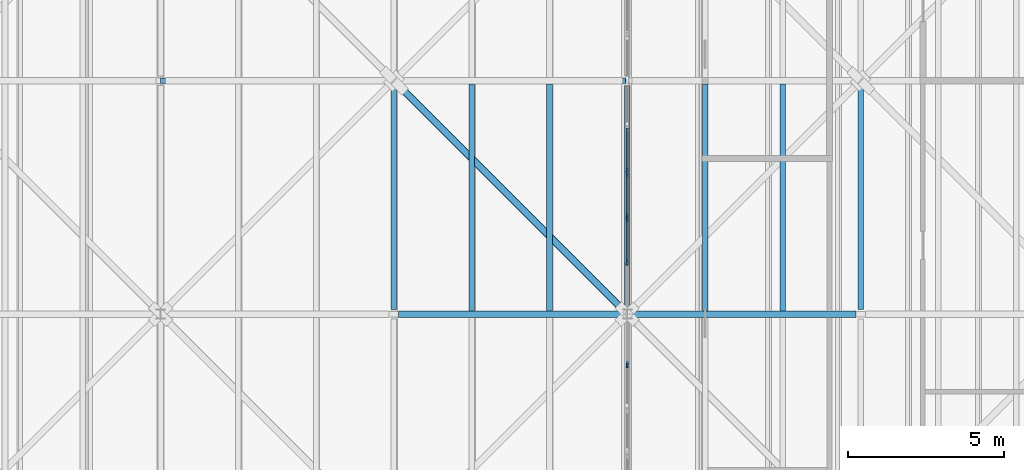
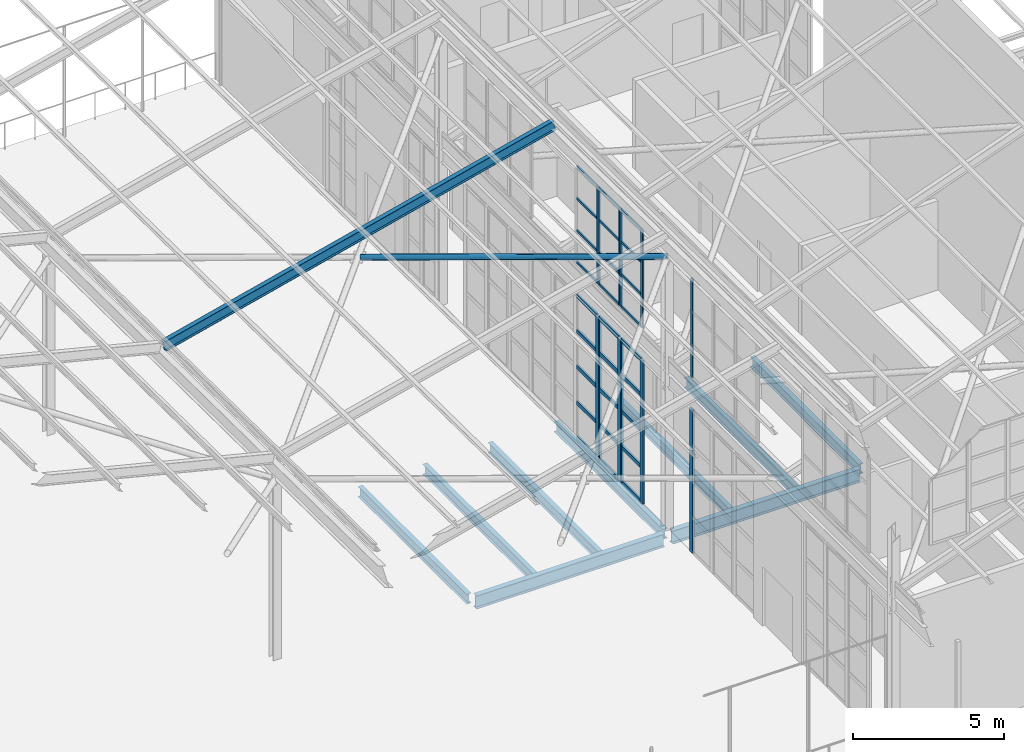
# One storey, part 31 of 483: 41 members, 9 beams, 8 elements without a shape of their own.
"""IFC4 building model written with IfcOpenShell, lengths in metres."""

from ifc_helpers import new_model, si_unit, direction, frame, origin, origin_2d, place, context, subcontext, project, spatial, rectangle, hollow_circle, i_section, extrude, material, material_profile, profile_set, type_object, element, aggregate, save


model = new_model("IFC4")

# Units and contexts
model_context = context("Model", 3, precision=1e-05, world=origin(), true_north=direction((0.0, 1.0)))
body_context = subcontext(model_context, "Body", "Model", "MODEL_VIEW")
ifc_project = project(units=[si_unit("LENGTHUNIT", "METRE"), si_unit("AREAUNIT", "SQUARE_METRE"), si_unit("VOLUMEUNIT", "CUBIC_METRE"), si_unit("PLANEANGLEUNIT", "RADIAN"), si_unit("MASSUNIT", "GRAM", prefix="KILO")], contexts=[model_context])

# Site, building, storey
site_placement = place(None, origin())
site = spatial("IfcSite", under=ifc_project, at=site_placement, CompositionType="ELEMENT")
building_placement = place(site_placement, origin())
building = spatial("IfcBuilding", under=site, at=building_placement, Name="Parallax Yard Mobility Hub", CompositionType="ELEMENT")
storey_placement = place(building_placement, frame((0.0, 0.0, 13.199951171875)))
storey = spatial("IfcBuildingStorey", under=building, at=storey_placement, Name="L04", CompositionType="ELEMENT", Elevation=13.199951171875)

# Curtain wall, member
ifc_material_1 = material(Name="Thermally broken aluminium curtain wall system", Category="aluminium")
curtain_wall_type_1 = type_object("IfcCurtainWallType", Name="Clerestory glazing run 60 x 120 frame", PredefinedType="NOTDEFINED", material=ifc_material_1)
curtain_wall_1_placement = place(storey_placement, origin())
curtain_wall_1 = element("IfcCurtainWall", 1, at=curtain_wall_1_placement, inside=storey, type_object=curtain_wall_type_1, Name="Clerestory glazing run Rooftop sports deck roof step 1 bay 2 level L04", PredefinedType="NOTDEFINED")
ifc_material_2 = material(Name="Extruded aluminium", Category="aluminium")
ifc_material_profile_1 = material_profile(ifc_material_2, rectangle(XDim=0.06005859375, YDim=0.1201171875, at=origin_2d()), Name="Mullion 60 x 120")
ifc_profile_set_1 = profile_set([ifc_material_profile_1], Name="Extruded aluminium")
member_type_1 = type_object("IfcMemberType", Name="Mullion 60 x 120", PredefinedType="MULLION", material=ifc_profile_set_1)
member_1_placement = place(storey_placement, frame((127.5, 20.84716796875, 7.087890625), z_axis=(0.0, 0.0, 1.0), x_axis=(-1.0, 0.0, 0.0)))
member_1 = element("IfcMember", 2, at=member_1_placement, type_object=member_type_1, Name="CW4 mullion 2", PredefinedType="MULLION", context=body_context, shape_type="SweptSolid", body=[
    extrude(rectangle(XDim=0.06005859375, YDim=0.1201171875, at=origin_2d()), origin(), (0.0, 0.0, 1.0), 3.998046875),
])
aggregate(curtain_wall_1, [member_1])

# Curtain wall, members
curtain_wall_2_placement = place(storey_placement, origin())
curtain_wall_2 = element("IfcCurtainWall", 3, at=curtain_wall_2_placement, inside=storey, type_object=curtain_wall_type_1, Name="Clerestory glazing run Rooftop sports deck roof step 1 bay 3 level L04", PredefinedType="NOTDEFINED")
member_2_placement = place(storey_placement, frame((127.5, 24.15234375, 7.087890625), z_axis=(0.0, 0.0, 1.0), x_axis=(-1.0, 0.0, 0.0)))
member_2 = element("IfcMember", 4, at=member_2_placement, type_object=member_type_1, Name="CW4 mullion 1", PredefinedType="MULLION", context=body_context, shape_type="SweptSolid", body=[
    extrude(rectangle(XDim=0.06005859375, YDim=0.1201171875, at=origin_2d()), origin(), (0.0, 0.0, 1.0), 3.9501953125),
])
member_3_placement = place(storey_placement, frame((127.5, 25.56103515625, 7.087890625), z_axis=(0.0, 0.0, 1.0), x_axis=(-1.0, 0.0, 0.0)))
member_3 = element("IfcMember", 5, at=member_3_placement, type_object=member_type_1, Name="CW4 mullion 2", PredefinedType="MULLION", context=body_context, shape_type="SweptSolid", body=[
    extrude(rectangle(XDim=0.06005859375, YDim=0.1201171875, at=origin_2d()), origin(), (0.0, 0.0, 1.0), 3.9501953125),
])

curtain_wall_3_placement = place(storey_placement, origin())
curtain_wall_3 = element("IfcCurtainWall", 6, at=curtain_wall_3_placement, inside=storey, type_object=curtain_wall_type_1, Name="Clerestory glazing run Rooftop sports deck roof step 1 bay 3 level L04", PredefinedType="NOTDEFINED")
member_4_placement = place(storey_placement, frame((127.5, 25.62109375, 7.087890625), z_axis=(0.0, 0.0, 1.0), x_axis=(-1.0, 0.0, 0.0)))
member_4 = element("IfcMember", 7, at=member_4_placement, type_object=member_type_1, Name="CW4 mullion 1", PredefinedType="MULLION", context=body_context, shape_type="SweptSolid", body=[
    extrude(rectangle(XDim=0.06005859375, YDim=0.1201171875, at=origin_2d()), origin(), (0.0, 0.0, 1.0), 3.936279296875),
])
member_5_placement = place(storey_placement, frame((127.5, 27.02978515625, 7.087890625), z_axis=(0.0, 0.0, 1.0), x_axis=(-1.0, 0.0, 0.0)))
member_5 = element("IfcMember", 8, at=member_5_placement, type_object=member_type_1, Name="CW4 mullion 2", PredefinedType="MULLION", context=body_context, shape_type="SweptSolid", body=[
    extrude(rectangle(XDim=0.06005859375, YDim=0.1201171875, at=origin_2d()), origin(), (0.0, 0.0, 1.0), 3.936279296875),
])

# Curtain wall, member
curtain_wall_4_placement = place(storey_placement, origin())
curtain_wall_4 = element("IfcCurtainWall", 9, at=curtain_wall_4_placement, inside=storey, type_object=curtain_wall_type_1, Name="Clerestory glazing run Rooftop sports deck roof step 1 bay 3 level L04", PredefinedType="NOTDEFINED")
member_6_placement = place(storey_placement, frame((127.5, 27.08984375, 7.087890625), z_axis=(0.0, 0.0, 1.0), x_axis=(-1.0, 0.0, 0.0)))
member_6 = element("IfcMember", 10, at=member_6_placement, type_object=member_type_1, Name="CW4 mullion 1", PredefinedType="MULLION", context=body_context, shape_type="SweptSolid", body=[
    extrude(rectangle(XDim=0.06005859375, YDim=0.1201171875, at=origin_2d()), origin(), (0.0, 0.0, 1.0), 3.921142578125),
])

curtain_wall_type_2 = type_object("IfcCurtainWallType", Name="Tall curtain wall run 75 x 200 frame", PredefinedType="NOTDEFINED", material=ifc_material_1)
curtain_wall_5_placement = place(storey_placement, origin())
curtain_wall_5 = element("IfcCurtainWall", 11, at=curtain_wall_5_placement, inside=storey, type_object=curtain_wall_type_2, Name="Curtain wall run Rooftop sports deck west bay 1 level L04", PredefinedType="NOTDEFINED")
ifc_material_profile_2 = material_profile(ifc_material_2, rectangle(XDim=0.074951171875, YDim=0.199951171875, at=origin_2d()), Name="Mullion 75 x 200")
ifc_profile_set_2 = profile_set([ifc_material_profile_2], Name="Extruded aluminium")
member_type_2 = type_object("IfcMemberType", Name="Mullion 75 x 200", PredefinedType="MULLION", material=ifc_profile_set_2)
member_7_placement = place(storey_placement, frame((127.5, 20.872314453125, 0.0), z_axis=(0.0, 0.0, 1.0), x_axis=(-1.0, 0.0, 0.0)))
member_7 = element("IfcMember", 12, at=member_7_placement, type_object=member_type_2, Name="CW3 mullion 2", PredefinedType="MULLION", context=body_context, shape_type="SweptSolid", body=[
    extrude(rectangle(XDim=0.074951171875, YDim=0.199951171875, at=origin_2d()), origin(), (0.0, 0.0, 1.0), 5.800048828125),
])
aggregate(curtain_wall_5, [member_7])

# Curtain wall, members
curtain_wall_6_placement = place(storey_placement, origin())
curtain_wall_6 = element("IfcCurtainWall", 13, at=curtain_wall_6_placement, inside=storey, type_object=curtain_wall_type_2, Name="Curtain wall run Rooftop sports deck west bay 2 level L04", PredefinedType="NOTDEFINED")
member_8_placement = place(storey_placement, frame((127.5, 24.159912109375, 0.0), z_axis=(0.0, 0.0, 1.0), x_axis=(-1.0, 0.0, 0.0)))
member_8 = element("IfcMember", 14, at=member_8_placement, type_object=member_type_2, Name="CW3 mullion 1", PredefinedType="MULLION", context=body_context, shape_type="SweptSolid", body=[
    extrude(rectangle(XDim=0.074951171875, YDim=0.199951171875, at=origin_2d()), origin(), (0.0, 0.0, 1.0), 5.800048828125),
])
member_9_placement = place(storey_placement, frame((127.5, 25.553466796875, 0.0), z_axis=(0.0, 0.0, 1.0), x_axis=(-1.0, 0.0, 0.0)))
member_9 = element("IfcMember", 15, at=member_9_placement, type_object=member_type_2, Name="CW3 mullion 2", PredefinedType="MULLION", context=body_context, shape_type="SweptSolid", body=[
    extrude(rectangle(XDim=0.074951171875, YDim=0.199951171875, at=origin_2d()), origin(), (0.0, 0.0, 1.0), 5.800048828125),
])

curtain_wall_7_placement = place(storey_placement, origin())
curtain_wall_7 = element("IfcCurtainWall", 16, at=curtain_wall_7_placement, inside=storey, type_object=curtain_wall_type_2, Name="Curtain wall run Rooftop sports deck west bay 2 level L04", PredefinedType="NOTDEFINED")
member_10_placement = place(storey_placement, frame((127.5, 25.62841796875, 0.0), z_axis=(0.0, 0.0, 1.0), x_axis=(-1.0, 0.0, 0.0)))
member_10 = element("IfcMember", 17, at=member_10_placement, type_object=member_type_2, Name="CW3 mullion 1", PredefinedType="MULLION", context=body_context, shape_type="SweptSolid", body=[
    extrude(rectangle(XDim=0.074951171875, YDim=0.199951171875, at=origin_2d()), origin(), (0.0, 0.0, 1.0), 5.800048828125),
])
member_11_placement = place(storey_placement, frame((127.5, 27.022216796875, 0.0), z_axis=(0.0, 0.0, 1.0), x_axis=(-1.0, 0.0, 0.0)))
member_11 = element("IfcMember", 18, at=member_11_placement, type_object=member_type_2, Name="CW3 mullion 2", PredefinedType="MULLION", context=body_context, shape_type="SweptSolid", body=[
    extrude(rectangle(XDim=0.074951171875, YDim=0.199951171875, at=origin_2d()), origin(), (0.0, 0.0, 1.0), 5.800048828125),
])

# Curtain wall, member
curtain_wall_8_placement = place(storey_placement, origin())
curtain_wall_8 = element("IfcCurtainWall", 19, at=curtain_wall_8_placement, inside=storey, type_object=curtain_wall_type_2, Name="Curtain wall run Rooftop sports deck west bay 2 level L04", PredefinedType="NOTDEFINED")
member_12_placement = place(storey_placement, frame((127.5, 27.097412109375, 0.0), z_axis=(0.0, 0.0, 1.0), x_axis=(-1.0, 0.0, 0.0)))
member_12 = element("IfcMember", 20, at=member_12_placement, type_object=member_type_2, Name="CW3 mullion 1", PredefinedType="MULLION", context=body_context, shape_type="SweptSolid", body=[
    extrude(rectangle(XDim=0.074951171875, YDim=0.199951171875, at=origin_2d()), origin(), (0.0, 0.0, 1.0), 5.800048828125),
])

# Members
ifc_material_3 = material(Name="Steel ASTM A500 Gr C", Category="steel")
ifc_material_profile_3 = material_profile(ifc_material_3, hollow_circle(Radius=0.109619140625, WallThickness=0.008056640625, at=origin_2d()), Name="HSS219.1x8.0")
ifc_profile_set_3 = profile_set([ifc_material_profile_3], Name="Steel ASTM A500 Gr C")
member_type_3 = type_object("IfcMemberType", Name="Roof brace HSS219.1x8.0", PredefinedType="BRACE", material=ifc_profile_set_3)
member_13_placement = place(storey_placement, frame((120.0693359375, 29.9306640625, 9.028564453125), z_axis=(0.695452358349, -0.695452358349, 0.180809387292), x_axis=(0.707106781187, 0.707106781187, 0.0)))
element("IfcMember", 21, at=member_13_placement, inside=storey, type_object=member_type_3, Name="Roof X brace east wing bay 2 2 (half 2)", PredefinedType="BRACE", context=body_context, shape_type="SweptSolid", body=[
    extrude(hollow_circle(Radius=0.109619140625, WallThickness=0.008056640625, at=origin_2d()), origin(), (0.0, 0.0, 1.0), 10.6845703125),
])
ifc_material_4 = material(Name="Steel ASTM A992", Category="steel")
ifc_material_profile_4 = material_profile(ifc_material_4, i_section(OverallWidth=0.177978515625, OverallDepth=0.406982421875, WebThickness=0.0078125, FlangeThickness=0.0126953125, at=origin_2d()), Name="W410x60")
ifc_profile_set_4 = profile_set([ifc_material_profile_4], Name="Steel ASTM A992")
member_type_4 = type_object("IfcMemberType", Name="Roof rafter W410x60", PredefinedType="RAFTER", material=ifc_profile_set_4)
member_14_placement = place(storey_placement, frame((112.54931640625, 29.998046875, 8.030029296875), z_axis=(0.970142500145, 0.0, 0.242535625036), x_axis=(0.002352689629, 0.999952950131, -0.009410758517)))
element("IfcMember", 22, at=member_14_placement, inside=storey, type_object=member_type_4, Name="Roof rafter court east wing at y 30", PredefinedType="RAFTER", context=body_context, shape_type="SweptSolid", body=[
    extrude(i_section(OverallWidth=0.177978515625, OverallDepth=0.406982421875, WebThickness=0.0078125, FlangeThickness=0.0126953125, at=origin_2d()), origin(), (0.0, 0.0, 1.0), 15.410400390625),
])

# Member
ifc_material_profile_5 = material_profile(ifc_material_2, rectangle(XDim=0.06005859375, YDim=0.10009765625, at=origin_2d()), Name="Transom 60 x 100")
ifc_profile_set_5 = profile_set([ifc_material_profile_5], Name="Extruded aluminium")
member_type_5 = type_object("IfcMemberType", Name="Transom 60 x 100", PredefinedType="USERDEFINED", material=ifc_profile_set_5)
member_15_placement = place(storey_placement, frame((127.5, 24.182373046875, 7.117919921875), z_axis=(0.0, 1.0, 0.0), x_axis=(-1.0, 0.0, 0.0)))
member_15 = element("IfcMember", 23, at=member_15_placement, type_object=member_type_5, Name="CW4 transom 1.1", ObjectType="TRANSOM", PredefinedType="USERDEFINED", context=body_context, shape_type="SweptSolid", body=[
    extrude(rectangle(XDim=0.06005859375, YDim=0.10009765625, at=origin_2d()), origin(), (0.0, 0.0, 1.0), 1.3486328125),
])

member_16_placement = place(storey_placement, frame((127.5, 24.182373046875, 8.404541015625), z_axis=(0.0, 1.0, 0.0), x_axis=(-1.0, 0.0, 0.0)))
member_16 = element("IfcMember", 24, at=member_16_placement, type_object=member_type_5, Name="CW4 transom 1.2", ObjectType="TRANSOM", PredefinedType="USERDEFINED", context=body_context, shape_type="SweptSolid", body=[
    extrude(rectangle(XDim=0.06005859375, YDim=0.10009765625, at=origin_2d()), origin(), (0.0, 0.0, 1.0), 1.3486328125),
])

member_17_placement = place(storey_placement, frame((127.5, 24.182373046875, 9.721435546875), z_axis=(0.0, 1.0, 0.0), x_axis=(-1.0, 0.0, 0.0)))
member_17 = element("IfcMember", 25, at=member_17_placement, type_object=member_type_5, Name="CW4 transom 1.3", ObjectType="TRANSOM", PredefinedType="USERDEFINED", context=body_context, shape_type="SweptSolid", body=[
    extrude(rectangle(XDim=0.06005859375, YDim=0.10009765625, at=origin_2d()), origin(), (0.0, 0.0, 1.0), 1.3486328125),
])

member_18_placement = place(storey_placement, frame((127.5, 24.182373046875, 11.008056640625), z_axis=(0.0, 1.0, 0.0), x_axis=(-1.0, 0.0, 0.0)))
member_18 = element("IfcMember", 26, at=member_18_placement, type_object=member_type_5, Name="CW4 transom 1.4", ObjectType="TRANSOM", PredefinedType="USERDEFINED", context=body_context, shape_type="SweptSolid", body=[
    extrude(rectangle(XDim=0.06005859375, YDim=0.10009765625, at=origin_2d()), origin(), (0.0, 0.0, 1.0), 1.3486328125),
])

aggregate(curtain_wall_2, [member_2, member_3, member_15, member_16, member_17, member_18])

member_19_placement = place(storey_placement, frame((127.5, 25.65087890625, 7.117919921875), z_axis=(0.0, 1.0, 0.0), x_axis=(-1.0, 0.0, 0.0)))
member_19 = element("IfcMember", 27, at=member_19_placement, type_object=member_type_5, Name="CW4 transom 1.1", ObjectType="TRANSOM", PredefinedType="USERDEFINED", context=body_context, shape_type="SweptSolid", body=[
    extrude(rectangle(XDim=0.06005859375, YDim=0.10009765625, at=origin_2d()), origin(), (0.0, 0.0, 1.0), 1.348876953125),
])

member_20_placement = place(storey_placement, frame((127.5, 25.65087890625, 8.39990234375), z_axis=(0.0, 1.0, 0.0), x_axis=(-1.0, 0.0, 0.0)))
member_20 = element("IfcMember", 28, at=member_20_placement, type_object=member_type_5, Name="CW4 transom 1.2", ObjectType="TRANSOM", PredefinedType="USERDEFINED", context=body_context, shape_type="SweptSolid", body=[
    extrude(rectangle(XDim=0.06005859375, YDim=0.10009765625, at=origin_2d()), origin(), (0.0, 0.0, 1.0), 1.348876953125),
])

member_21_placement = place(storey_placement, frame((127.5, 25.65087890625, 9.7119140625), z_axis=(0.0, 1.0, 0.0), x_axis=(-1.0, 0.0, 0.0)))
member_21 = element("IfcMember", 29, at=member_21_placement, type_object=member_type_5, Name="CW4 transom 1.3", ObjectType="TRANSOM", PredefinedType="USERDEFINED", context=body_context, shape_type="SweptSolid", body=[
    extrude(rectangle(XDim=0.06005859375, YDim=0.10009765625, at=origin_2d()), origin(), (0.0, 0.0, 1.0), 1.348876953125),
])

member_22_placement = place(storey_placement, frame((127.5, 25.65087890625, 10.994140625), z_axis=(0.0, 1.0, 0.0), x_axis=(-1.0, 0.0, 0.0)))
member_22 = element("IfcMember", 30, at=member_22_placement, type_object=member_type_5, Name="CW4 transom 1.4", ObjectType="TRANSOM", PredefinedType="USERDEFINED", context=body_context, shape_type="SweptSolid", body=[
    extrude(rectangle(XDim=0.06005859375, YDim=0.10009765625, at=origin_2d()), origin(), (0.0, 0.0, 1.0), 1.348876953125),
])

aggregate(curtain_wall_3, [member_4, member_5, member_19, member_20, member_21, member_22])

member_23_placement = place(storey_placement, frame((127.5, 27.119873046875, 7.117919921875), z_axis=(0.0, 1.0, 0.0), x_axis=(-1.0, 0.0, 0.0)))
member_23 = element("IfcMember", 31, at=member_23_placement, type_object=member_type_5, Name="CW4 transom 1.1", ObjectType="TRANSOM", PredefinedType="USERDEFINED", context=body_context, shape_type="SweptSolid", body=[
    extrude(rectangle(XDim=0.06005859375, YDim=0.10009765625, at=origin_2d()), origin(), (0.0, 0.0, 1.0), 1.3486328125),
])

member_24_placement = place(storey_placement, frame((127.5, 27.119873046875, 8.39501953125), z_axis=(0.0, 1.0, 0.0), x_axis=(-1.0, 0.0, 0.0)))
member_24 = element("IfcMember", 32, at=member_24_placement, type_object=member_type_5, Name="CW4 transom 1.2", ObjectType="TRANSOM", PredefinedType="USERDEFINED", context=body_context, shape_type="SweptSolid", body=[
    extrude(rectangle(XDim=0.06005859375, YDim=0.10009765625, at=origin_2d()), origin(), (0.0, 0.0, 1.0), 1.3486328125),
])

member_25_placement = place(storey_placement, frame((127.5, 27.119873046875, 9.701904296875), z_axis=(0.0, 1.0, 0.0), x_axis=(-1.0, 0.0, 0.0)))
member_25 = element("IfcMember", 33, at=member_25_placement, type_object=member_type_5, Name="CW4 transom 1.3", ObjectType="TRANSOM", PredefinedType="USERDEFINED", context=body_context, shape_type="SweptSolid", body=[
    extrude(rectangle(XDim=0.06005859375, YDim=0.10009765625, at=origin_2d()), origin(), (0.0, 0.0, 1.0), 1.3486328125),
])

member_26_placement = place(storey_placement, frame((127.5, 27.119873046875, 10.97900390625), z_axis=(0.0, 1.0, 0.0), x_axis=(-1.0, 0.0, 0.0)))
member_26 = element("IfcMember", 34, at=member_26_placement, type_object=member_type_5, Name="CW4 transom 1.4", ObjectType="TRANSOM", PredefinedType="USERDEFINED", context=body_context, shape_type="SweptSolid", body=[
    extrude(rectangle(XDim=0.06005859375, YDim=0.10009765625, at=origin_2d()), origin(), (0.0, 0.0, 1.0), 1.3486328125),
])

aggregate(curtain_wall_4, [member_6, member_23, member_24, member_25, member_26])

ifc_material_profile_6 = material_profile(ifc_material_2, rectangle(XDim=0.074951171875, YDim=0.14990234375, at=origin_2d()), Name="Transom 75 x 150")
ifc_profile_set_6 = profile_set([ifc_material_profile_6], Name="Extruded aluminium")
member_type_6 = type_object("IfcMemberType", Name="Transom 75 x 150", PredefinedType="USERDEFINED", material=ifc_profile_set_6)
member_27_placement = place(storey_placement, frame((127.5, 24.197265625, 0.03759765625), z_axis=(0.0, 1.0, 0.0), x_axis=(-1.0, 0.0, 0.0)))
member_27 = element("IfcMember", 35, at=member_27_placement, type_object=member_type_6, Name="CW3 transom 1.1", ObjectType="TRANSOM", PredefinedType="USERDEFINED", context=body_context, shape_type="SweptSolid", body=[
    extrude(rectangle(XDim=0.074951171875, YDim=0.14990234375, at=origin_2d()), origin(), (0.0, 0.0, 1.0), 1.31884765625),
])

member_28_placement = place(storey_placement, frame((127.5, 24.197265625, 1.449951171875), z_axis=(0.0, 1.0, 0.0), x_axis=(-1.0, 0.0, 0.0)))
member_28 = element("IfcMember", 36, at=member_28_placement, type_object=member_type_6, Name="CW3 transom 1.2", ObjectType="TRANSOM", PredefinedType="USERDEFINED", context=body_context, shape_type="SweptSolid", body=[
    extrude(rectangle(XDim=0.074951171875, YDim=0.14990234375, at=origin_2d()), origin(), (0.0, 0.0, 1.0), 1.31884765625),
])

member_29_placement = place(storey_placement, frame((127.5, 24.197265625, 2.900146484375), z_axis=(0.0, 1.0, 0.0), x_axis=(-1.0, 0.0, 0.0)))
member_29 = element("IfcMember", 37, at=member_29_placement, type_object=member_type_6, Name="CW3 transom 1.3", ObjectType="TRANSOM", PredefinedType="USERDEFINED", context=body_context, shape_type="SweptSolid", body=[
    extrude(rectangle(XDim=0.074951171875, YDim=0.14990234375, at=origin_2d()), origin(), (0.0, 0.0, 1.0), 1.31884765625),
])

member_30_placement = place(storey_placement, frame((127.5, 24.197265625, 4.35009765625), z_axis=(0.0, 1.0, 0.0), x_axis=(-1.0, 0.0, 0.0)))
member_30 = element("IfcMember", 38, at=member_30_placement, type_object=member_type_6, Name="CW3 transom 1.4", ObjectType="TRANSOM", PredefinedType="USERDEFINED", context=body_context, shape_type="SweptSolid", body=[
    extrude(rectangle(XDim=0.074951171875, YDim=0.14990234375, at=origin_2d()), origin(), (0.0, 0.0, 1.0), 1.31884765625),
])

member_31_placement = place(storey_placement, frame((127.5, 24.197265625, 5.762451171875), z_axis=(0.0, 1.0, 0.0), x_axis=(-1.0, 0.0, 0.0)))
member_31 = element("IfcMember", 39, at=member_31_placement, type_object=member_type_6, Name="CW3 transom 1.5", ObjectType="TRANSOM", PredefinedType="USERDEFINED", context=body_context, shape_type="SweptSolid", body=[
    extrude(rectangle(XDim=0.074951171875, YDim=0.14990234375, at=origin_2d()), origin(), (0.0, 0.0, 1.0), 1.31884765625),
])

aggregate(curtain_wall_6, [member_8, member_9, member_27, member_28, member_29, member_30, member_31])

member_32_placement = place(storey_placement, frame((127.5, 25.666015625, 0.03759765625), z_axis=(0.0, 1.0, 0.0), x_axis=(-1.0, 0.0, 0.0)))
member_32 = element("IfcMember", 40, at=member_32_placement, type_object=member_type_6, Name="CW3 transom 1.1", ObjectType="TRANSOM", PredefinedType="USERDEFINED", context=body_context, shape_type="SweptSolid", body=[
    extrude(rectangle(XDim=0.074951171875, YDim=0.14990234375, at=origin_2d()), origin(), (0.0, 0.0, 1.0), 1.31884765625),
])

member_33_placement = place(storey_placement, frame((127.5, 25.666015625, 1.449951171875), z_axis=(0.0, 1.0, 0.0), x_axis=(-1.0, 0.0, 0.0)))
member_33 = element("IfcMember", 41, at=member_33_placement, type_object=member_type_6, Name="CW3 transom 1.2", ObjectType="TRANSOM", PredefinedType="USERDEFINED", context=body_context, shape_type="SweptSolid", body=[
    extrude(rectangle(XDim=0.074951171875, YDim=0.14990234375, at=origin_2d()), origin(), (0.0, 0.0, 1.0), 1.31884765625),
])

member_34_placement = place(storey_placement, frame((127.5, 25.666015625, 2.900146484375), z_axis=(0.0, 1.0, 0.0), x_axis=(-1.0, 0.0, 0.0)))
member_34 = element("IfcMember", 42, at=member_34_placement, type_object=member_type_6, Name="CW3 transom 1.3", ObjectType="TRANSOM", PredefinedType="USERDEFINED", context=body_context, shape_type="SweptSolid", body=[
    extrude(rectangle(XDim=0.074951171875, YDim=0.14990234375, at=origin_2d()), origin(), (0.0, 0.0, 1.0), 1.31884765625),
])

member_35_placement = place(storey_placement, frame((127.5, 25.666015625, 4.35009765625), z_axis=(0.0, 1.0, 0.0), x_axis=(-1.0, 0.0, 0.0)))
member_35 = element("IfcMember", 43, at=member_35_placement, type_object=member_type_6, Name="CW3 transom 1.4", ObjectType="TRANSOM", PredefinedType="USERDEFINED", context=body_context, shape_type="SweptSolid", body=[
    extrude(rectangle(XDim=0.074951171875, YDim=0.14990234375, at=origin_2d()), origin(), (0.0, 0.0, 1.0), 1.31884765625),
])

member_36_placement = place(storey_placement, frame((127.5, 25.666015625, 5.762451171875), z_axis=(0.0, 1.0, 0.0), x_axis=(-1.0, 0.0, 0.0)))
member_36 = element("IfcMember", 44, at=member_36_placement, type_object=member_type_6, Name="CW3 transom 1.5", ObjectType="TRANSOM", PredefinedType="USERDEFINED", context=body_context, shape_type="SweptSolid", body=[
    extrude(rectangle(XDim=0.074951171875, YDim=0.14990234375, at=origin_2d()), origin(), (0.0, 0.0, 1.0), 1.31884765625),
])

aggregate(curtain_wall_7, [member_10, member_11, member_32, member_33, member_34, member_35, member_36])

member_37_placement = place(storey_placement, frame((127.5, 27.134765625, 0.03759765625), z_axis=(0.0, 1.0, 0.0), x_axis=(-1.0, 0.0, 0.0)))
member_37 = element("IfcMember", 45, at=member_37_placement, type_object=member_type_6, Name="CW3 transom 1.1", ObjectType="TRANSOM", PredefinedType="USERDEFINED", context=body_context, shape_type="SweptSolid", body=[
    extrude(rectangle(XDim=0.074951171875, YDim=0.14990234375, at=origin_2d()), origin(), (0.0, 0.0, 1.0), 1.31884765625),
])

member_38_placement = place(storey_placement, frame((127.5, 27.134765625, 1.449951171875), z_axis=(0.0, 1.0, 0.0), x_axis=(-1.0, 0.0, 0.0)))
member_38 = element("IfcMember", 46, at=member_38_placement, type_object=member_type_6, Name="CW3 transom 1.2", ObjectType="TRANSOM", PredefinedType="USERDEFINED", context=body_context, shape_type="SweptSolid", body=[
    extrude(rectangle(XDim=0.074951171875, YDim=0.14990234375, at=origin_2d()), origin(), (0.0, 0.0, 1.0), 1.31884765625),
])

member_39_placement = place(storey_placement, frame((127.5, 27.134765625, 2.900146484375), z_axis=(0.0, 1.0, 0.0), x_axis=(-1.0, 0.0, 0.0)))
member_39 = element("IfcMember", 47, at=member_39_placement, type_object=member_type_6, Name="CW3 transom 1.3", ObjectType="TRANSOM", PredefinedType="USERDEFINED", context=body_context, shape_type="SweptSolid", body=[
    extrude(rectangle(XDim=0.074951171875, YDim=0.14990234375, at=origin_2d()), origin(), (0.0, 0.0, 1.0), 1.31884765625),
])

member_40_placement = place(storey_placement, frame((127.5, 27.134765625, 4.35009765625), z_axis=(0.0, 1.0, 0.0), x_axis=(-1.0, 0.0, 0.0)))
member_40 = element("IfcMember", 48, at=member_40_placement, type_object=member_type_6, Name="CW3 transom 1.4", ObjectType="TRANSOM", PredefinedType="USERDEFINED", context=body_context, shape_type="SweptSolid", body=[
    extrude(rectangle(XDim=0.074951171875, YDim=0.14990234375, at=origin_2d()), origin(), (0.0, 0.0, 1.0), 1.31884765625),
])

member_41_placement = place(storey_placement, frame((127.5, 27.134765625, 5.762451171875), z_axis=(0.0, 1.0, 0.0), x_axis=(-1.0, 0.0, 0.0)))
member_41 = element("IfcMember", 49, at=member_41_placement, type_object=member_type_6, Name="CW3 transom 1.5", ObjectType="TRANSOM", PredefinedType="USERDEFINED", context=body_context, shape_type="SweptSolid", body=[
    extrude(rectangle(XDim=0.074951171875, YDim=0.14990234375, at=origin_2d()), origin(), (0.0, 0.0, 1.0), 1.31884765625),
])

aggregate(curtain_wall_8, [member_12, member_37, member_38, member_39, member_40, member_41])

# Beams
ifc_material_profile_7 = material_profile(ifc_material_4, i_section(OverallWidth=0.177978515625, OverallDepth=0.406005859375, WebThickness=0.0078125, FlangeThickness=0.0126953125, FilletRadius=0.01025390625, at=origin_2d()), Name="W410x60")
ifc_profile_set_7 = profile_set([ifc_material_profile_7], Name="Steel ASTM A992")
beam_type_1 = type_object("IfcBeamType", Name="W410x60 secondary beam", PredefinedType="JOIST", material=ifc_profile_set_7)
for number, where, z_axis, x_axis, name in (
    (50, (122.5, 22.6044921875, -0.343017578125), (0.0, 1.0, 0.0), (-1.0, 0.0, 0.0), "Secondary beam B1 level L04, 2.5 m east of line 17 of mobility service centre and workshops, span 3"),
    (51, (130.0, 22.6044921875, -0.343017578125), (0.0, 1.0, 0.0), (-1.0, 0.0, 0.0), "Secondary beam B1 level L04, 2.5 m east of line 18 of mobility service centre and workshops, span 3"),
    (52, (125.0, 22.6044921875, -0.343017578125), (0.0, 1.0, 0.0), (-1.0, 0.0, 0.0), "Secondary beam B1 level L04, 5 m east of line 17 of mobility service centre and workshops, span 3"),
    (53, (132.5, 22.6044921875, -0.343017578125), (0.0, 1.0, 0.0), (-1.0, 0.0, 0.0), "Secondary beam B1 level L04, 5 m east of line 18 of mobility service centre and workshops, span 3"),
):
    element("IfcBeam", number, at=place(storey_placement, frame(where, z_axis=z_axis, x_axis=x_axis)), inside=storey, type_object=beam_type_1, Name=name, PredefinedType="JOIST", context=body_context, shape_type="SweptSolid", body=[
        extrude(i_section(OverallWidth=0.177978515625, OverallDepth=0.406005859375, WebThickness=0.0078125, FlangeThickness=0.0126953125, FilletRadius=0.01025390625, at=origin_2d()), origin(), (0.0, 0.0, 1.0), 7.291015625),
    ])
ifc_material_profile_8 = material_profile(ifc_material_4, i_section(OverallWidth=0.178955078125, OverallDepth=0.408935546875, WebThickness=0.0087890625, FlangeThickness=0.014404296875, FilletRadius=0.01025390625, at=origin_2d()), Name="W410x67")
ifc_profile_set_8 = profile_set([ifc_material_profile_8], Name="Steel ASTM A992")
beam_type_2 = type_object("IfcBeamType", Name="W410x67 girder", PredefinedType="BEAM", material=ifc_profile_set_8)
for number, where, z_axis, x_axis, name in (
    (54, (120.0, 22.653564453125, -0.344482421875), (0.0, 1.0, 0.0), (-1.0, 0.0, 0.0), "Girder G1 level L04, line 17 of mobility service centre and workshops, span 3"),
    (55, (127.5, 22.653564453125, -0.344482421875), (0.0, 1.0, 0.0), (-1.0, 0.0, 0.0), "Girder G1 level L04, line 18 of mobility service centre and workshops, span 3"),
    (56, (135.0, 22.653564453125, -0.344482421875), (0.0, 1.0, 0.0), (-1.0, 0.0, 0.0), "Girder G1 level L04, line 19 of mobility service centre and workshops, span 3"),
):
    element("IfcBeam", number, at=place(storey_placement, frame(where, z_axis=z_axis, x_axis=x_axis)), inside=storey, type_object=beam_type_2, Name=name, PredefinedType="BEAM", context=body_context, shape_type="SweptSolid", body=[
        extrude(i_section(OverallWidth=0.178955078125, OverallDepth=0.408935546875, WebThickness=0.0087890625, FlangeThickness=0.014404296875, FilletRadius=0.01025390625, at=origin_2d()), origin(), (0.0, 0.0, 1.0), 7.19287109375),
    ])
ifc_material_profile_9 = material_profile(ifc_material_4, i_section(OverallWidth=0.208984375, OverallDepth=0.532958984375, WebThickness=0.01025390625, FlangeThickness=0.015625, FilletRadius=0.0126953125, at=origin_2d()), Name="W530x92")
ifc_profile_set_9 = profile_set([ifc_material_profile_9], Name="Steel ASTM A992")
beam_type_3 = type_object("IfcBeamType", Name="W530x92 longitudinal beam", PredefinedType="BEAM", material=ifc_profile_set_9)
for number, where, z_axis, x_axis, name in (
    (57, (120.152587890625, 22.5, -0.406494140625), (1.0, 0.0, 0.0), (0.0, 1.0, 0.0), "Longitudinal beam SB6 level L04, line D of mobility service centre and workshops, span 4"),
    (58, (127.652587890625, 22.5, -0.406494140625), (1.0, 0.0, 0.0), (0.0, 1.0, 0.0), "Longitudinal beam SB6 level L04, line D of mobility service centre and workshops, span 5"),
):
    element("IfcBeam", number, at=place(storey_placement, frame(where, z_axis=z_axis, x_axis=x_axis)), inside=storey, type_object=beam_type_3, Name=name, PredefinedType="BEAM", context=body_context, shape_type="SweptSolid", body=[
        extrude(i_section(OverallWidth=0.208984375, OverallDepth=0.532958984375, WebThickness=0.01025390625, FlangeThickness=0.015625, FilletRadius=0.0126953125, at=origin_2d()), origin(), (0.0, 0.0, 1.0), 7.19482421875),
    ])

save(model, "model.ifc")
